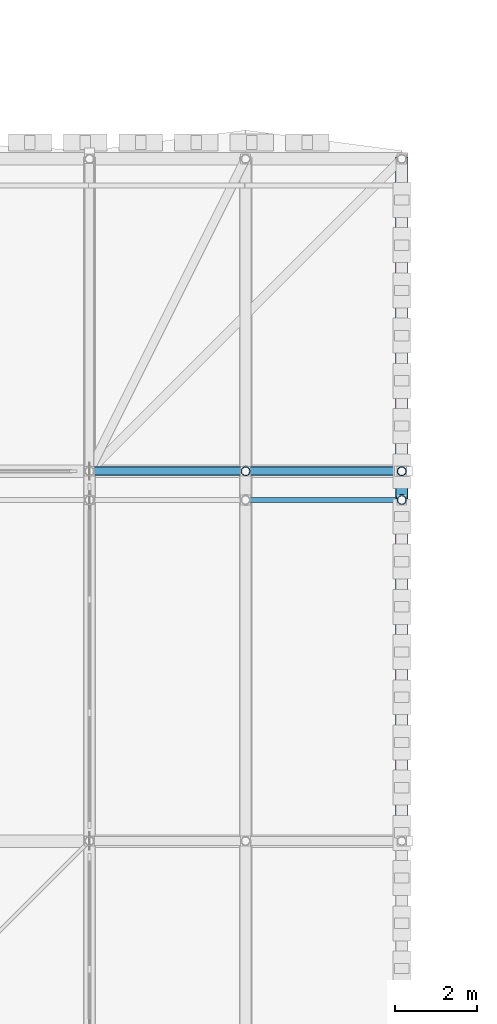
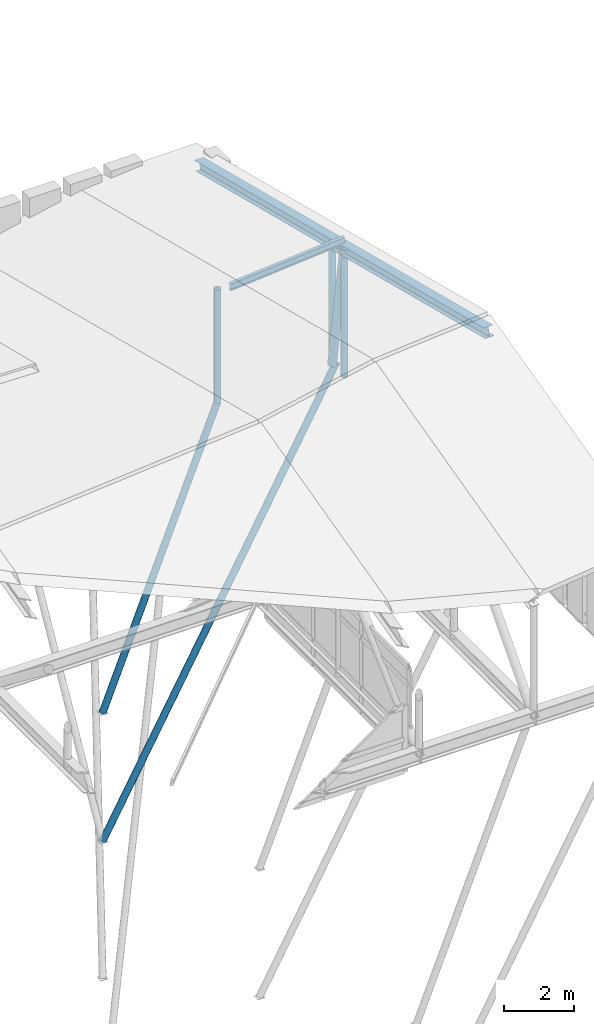
# One storey, part 24 of 42: 8 members.
"""IFC4 building model written with IfcOpenShell, lengths in metres."""

from ifc_helpers import new_model, si_unit, direction, frame, origin, origin_2d, place, context, subcontext, project, spatial, hollow_circle, i_section, extrude, material, material_profile, profile_set, type_object, element, save


model = new_model("IFC4")

# Units and contexts
model_context = context("Model", 3, precision=1e-05, world=origin(), true_north=direction((0.0, 1.0)))
body_context = subcontext(model_context, "Body", "Model", "MODEL_VIEW")
ifc_project = project(units=[si_unit("LENGTHUNIT", "METRE"), si_unit("AREAUNIT", "SQUARE_METRE"), si_unit("VOLUMEUNIT", "CUBIC_METRE"), si_unit("PLANEANGLEUNIT", "RADIAN"), si_unit("MASSUNIT", "GRAM", prefix="KILO")], contexts=[model_context])

# Site, building, storey
site_placement = place(None, origin())
site = spatial("IfcSite", under=ifc_project, at=site_placement, CompositionType="ELEMENT")
building_placement = place(site_placement, origin())
building = spatial("IfcBuilding", under=site, at=building_placement, Name="Bozkorgan Art Gallery", CompositionType="ELEMENT")
storey_placement = place(building_placement, frame((0.0, 0.0, 28.800048828125)))
storey = spatial("IfcBuildingStorey", under=building, at=storey_placement, Name="RF", CompositionType="ELEMENT", Elevation=28.800048828125)

# Members
ifc_material = material(Name="Steel S355J2", Category="steel")
ifc_material_profile_1 = material_profile(ifc_material, hollow_circle(Radius=0.109619140625, WallThickness=0.010009765625, at=origin_2d()), Name="CHS 219.1x10")
ifc_profile_set_1 = profile_set([ifc_material_profile_1], Name="Steel S355J2")
member_type_1 = type_object("IfcMemberType", Name="MEMBER-ES-44", PredefinedType="BRACE", material=ifc_profile_set_1)
member_1_placement = place(storey_placement, frame((65.0, 20.0, -13.800048828125), z_axis=(0.48251516305, 0.0, 0.875887616893), x_axis=(0.0, 1.0, 0.0)))
element("IfcMember", 1, at=member_1_placement, inside=storey, type_object=member_type_1, Name="ROOF-V1-MAIN east swept-eave diagonal tree-strut 3", PredefinedType="BRACE", context=body_context, shape_type="SweptSolid", body=[
    extrude(hollow_circle(Radius=0.109619140625, WallThickness=0.010009765625, at=origin_2d()), origin(), (0.0, 0.0, 1.0), 16.041015625),
])
member_2_placement = place(storey_placement, frame((65.0, 20.0, -9.300048828125), z_axis=(0.369715077637, 0.0, 0.929145177767), x_axis=(0.0, 1.0, 0.0)))
element("IfcMember", 2, at=member_2_placement, inside=storey, type_object=member_type_1, Name="ROOF-V1-MAIN east mid-overhang diagonal tree-strut 3", PredefinedType="BRACE", context=body_context, shape_type="SweptSolid", body=[
    extrude(hollow_circle(Radius=0.109619140625, WallThickness=0.010009765625, at=origin_2d()), origin(), (0.0, 0.0, 1.0), 10.2783203125),
])
ifc_material_profile_2 = material_profile(ifc_material, hollow_circle(Radius=0.109619140625, WallThickness=0.010009765625, at=origin_2d()), Name="CHS 219.1x10")
ifc_profile_set_2 = profile_set([ifc_material_profile_2], Name="Steel S355J2")
member_type_2 = type_object("IfcMemberType", Name="MEMBER-PO-77", PredefinedType="POST", material=ifc_profile_set_2)
member_3_placement = place(storey_placement, frame((68.800048828125, 20.0, 0.25), z_axis=(0.0, 0.0, 1.0), x_axis=(1.0, 0.0, 0.0)))
element("IfcMember", 3, at=member_3_placement, inside=storey, type_object=member_type_2, Name="ROOF-V1-MAIN roof truss 9 post 4", PredefinedType="POST", context=body_context, shape_type="SweptSolid", body=[
    extrude(hollow_circle(Radius=0.109619140625, WallThickness=0.010009765625, at=origin_2d()), origin(), (0.0, 0.0, 1.0), 3.97509765625),
])
member_4_placement = place(storey_placement, frame((72.60009765625, 19.300048828125, 0.25), z_axis=(0.0, 0.0, 1.0), x_axis=(1.0, 0.0, 0.0)))
element("IfcMember", 4, at=member_4_placement, inside=storey, type_object=member_type_2, Name="ROOF-V1-MAIN roof truss 10 post 3", PredefinedType="POST", context=body_context, shape_type="SweptSolid", body=[
    extrude(hollow_circle(Radius=0.109619140625, WallThickness=0.010009765625, at=origin_2d()), origin(), (0.0, 0.0, 1.0), 4.47705078125),
])
member_5_placement = place(storey_placement, frame((72.60009765625, 20.0, 0.25), z_axis=(0.0, 0.0, 1.0), x_axis=(1.0, 0.0, 0.0)))
element("IfcMember", 5, at=member_5_placement, inside=storey, type_object=member_type_2, Name="ROOF-V1-MAIN roof truss 10 post 4", PredefinedType="POST", context=body_context, shape_type="SweptSolid", body=[
    extrude(hollow_circle(Radius=0.109619140625, WallThickness=0.010009765625, at=origin_2d()), origin(), (0.0, 0.0, 1.0), 4.2998046875),
])
ifc_material_profile_3 = material_profile(ifc_material, i_section(OverallWidth=0.1201171875, OverallDepth=0.239990234375, WebThickness=0.006103515625, FlangeThickness=0.009765625, FilletRadius=0.014892578125, at=origin_2d()), Name="IPE 240")
ifc_profile_set_3 = profile_set([ifc_material_profile_3], Name="Steel S355J2")
member_type_3 = type_object("IfcMemberType", Name="MEMBER-PR-34", PredefinedType="PURLIN", material=ifc_profile_set_3)
member_6_placement = place(storey_placement, frame((68.800048828125, 19.300048828125, 4.697265625), z_axis=(0.996369179776, 0.0, 0.085137874019), x_axis=(0.0, 1.0, 0.0)))
element("IfcMember", 6, at=member_6_placement, inside=storey, type_object=member_type_3, Name="ROOF-V1-MAIN roof purlin 9N", PredefinedType="PURLIN", context=body_context, shape_type="SweptSolid", body=[
    extrude(i_section(OverallWidth=0.1201171875, OverallDepth=0.239990234375, WebThickness=0.006103515625, FlangeThickness=0.009765625, FilletRadius=0.014892578125, at=origin_2d()), origin(), (0.0, 0.0, 1.0), 3.81396484375),
])
ifc_material_profile_4 = material_profile(ifc_material, i_section(OverallWidth=0.300048828125, OverallDepth=0.35009765625, WebThickness=0.010009765625, FlangeThickness=0.017578125, FilletRadius=0.027099609375, at=origin_2d()), Name="HEA 360")
ifc_profile_set_4 = profile_set([ifc_material_profile_4], Name="Steel S355J2")
member_type_4 = type_object("IfcMemberType", Name="MEMBER-TC-31", PredefinedType="CHORD", material=ifc_profile_set_4)
member_7_placement = place(storey_placement, frame((72.60009765625, 11.0, 6.8271484375), z_axis=(0.0, 0.969445780618, -0.245305683671), x_axis=(-1.0, 0.0, 0.0)))
element("IfcMember", 7, at=member_7_placement, inside=storey, type_object=member_type_4, Name="ROOF-V1-MAIN roof truss 10 north top chord", PredefinedType="CHORD", context=body_context, shape_type="SweptSolid", body=[
    extrude(i_section(OverallWidth=0.300048828125, OverallDepth=0.35009765625, WebThickness=0.010009765625, FlangeThickness=0.017578125, FilletRadius=0.027099609375, at=origin_2d()), origin(), (0.0, 0.0, 1.0), 17.123291015625),
])
ifc_material_profile_5 = material_profile(ifc_material, hollow_circle(Radius=0.136474609375, WallThickness=0.012451171875, at=origin_2d()), Name="CHS 273x12.5")
ifc_profile_set_5 = profile_set([ifc_material_profile_5], Name="Steel S355J2")
member_type_5 = type_object("IfcMemberType", Name="MEMBER-TW-28", PredefinedType="BRACE", material=ifc_profile_set_5)
member_8_placement = place(storey_placement, frame((72.60009765625, 19.300048828125, 4.72705078125), z_axis=(0.0, 0.15446563048, -0.987998162448), x_axis=(-1.0, 0.0, 0.0)))
element("IfcMember", 8, at=member_8_placement, inside=storey, type_object=member_type_5, Name="ROOF-V1-MAIN roof truss 10 diagonal 4", PredefinedType="BRACE", context=body_context, shape_type="SweptSolid", body=[
    extrude(hollow_circle(Radius=0.136474609375, WallThickness=0.012451171875, at=origin_2d()), origin(), (0.0, 0.0, 1.0), 4.531494140625),
])

save(model, "model.ifc")
